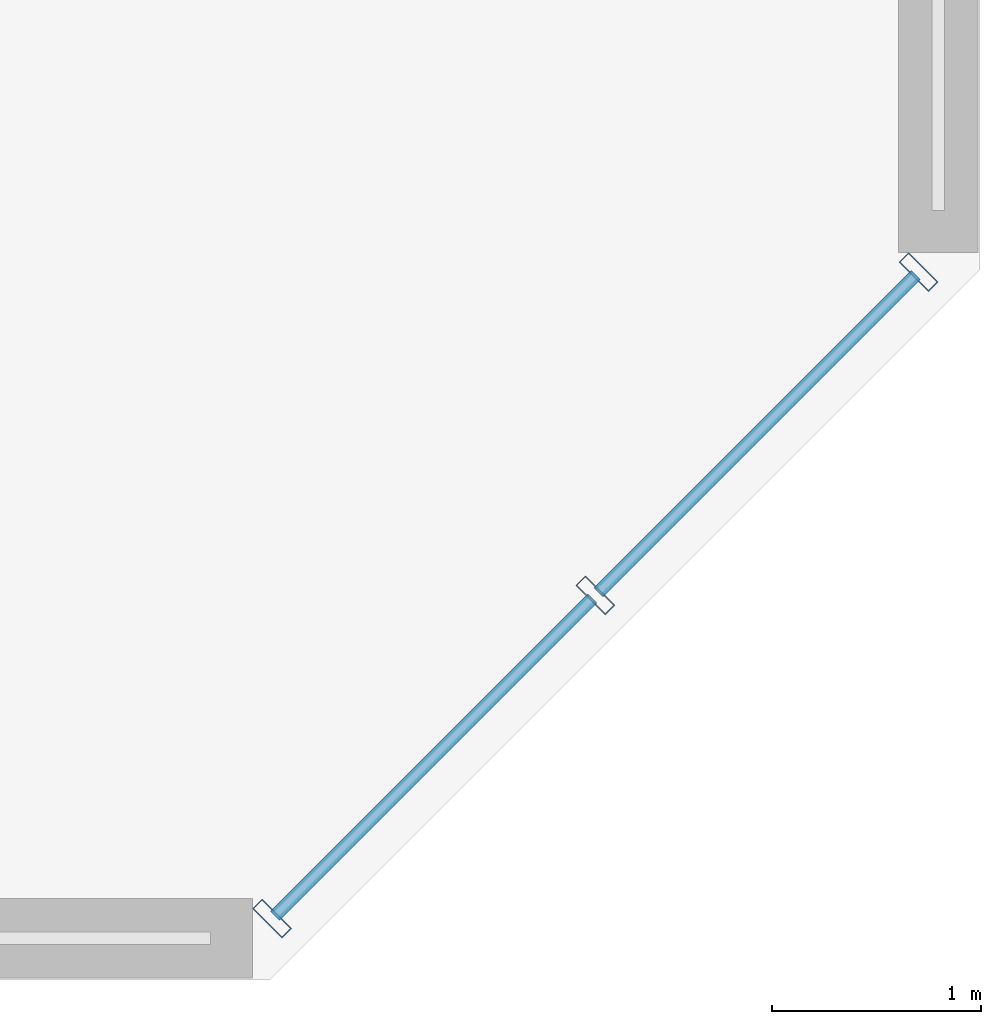
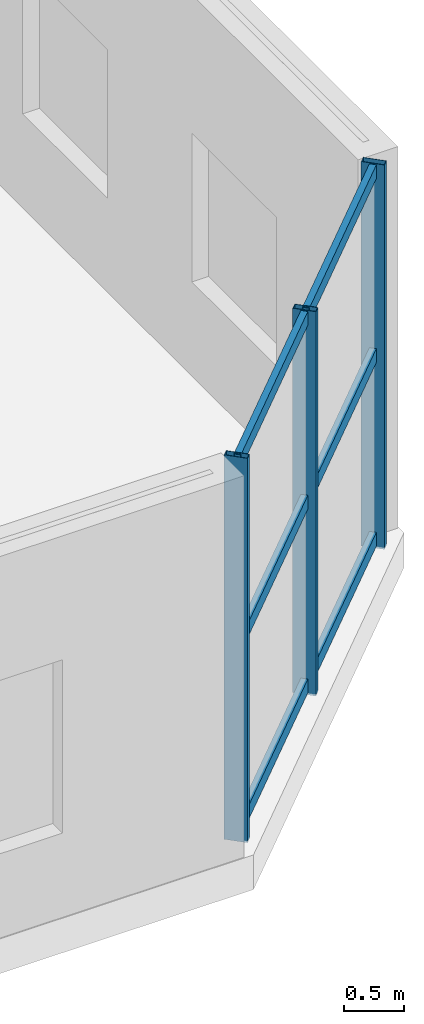
# One storey, part 6 of 22: 9 members, 1 element without a shape of its own.
"""IFC4 building model written with IfcOpenShell, lengths in metres."""

from ifc_helpers import new_model, si_unit, direction, frame, origin, origin_2d, place, context, subcontext, project, spatial, hollow_rectangle, extrude, source, transform, mapped, material, material_profile, profile_set, type_object, element, aggregate, save


model = new_model("IFC4")

# Units and contexts
model_context = context("Model", 3, precision=1e-05, world=origin(), true_north=direction((0.0, 1.0)))
body_context = subcontext(model_context, "Body", "Model", "MODEL_VIEW")
ifc_project = project(units=[si_unit("LENGTHUNIT", "METRE"), si_unit("AREAUNIT", "SQUARE_METRE"), si_unit("VOLUMEUNIT", "CUBIC_METRE"), si_unit("PLANEANGLEUNIT", "RADIAN"), si_unit("MASSUNIT", "GRAM", prefix="KILO")], contexts=[model_context])

# Site, building, storey
site_placement = place(None, origin())
site = spatial("IfcSite", under=ifc_project, at=site_placement, CompositionType="ELEMENT")
building_placement = place(site_placement, origin())
building = spatial("IfcBuilding", under=site, at=building_placement, Name="Tlacorven Tower", CompositionType="ELEMENT")
storey_placement = place(building_placement, frame((0.0, 0.0, 14.39990234375)))
storey = spatial("IfcBuildingStorey", under=building, at=storey_placement, Name="L03", CompositionType="ELEMENT", Elevation=14.39990234375)

# Curtain wall, members
ifc_material_1 = material(Name="Dark solar low-E double glazing in aluminium frame", Category="aluminium")
curtain_wall_type = type_object("IfcCurtainWallType", Name="CW-POD-CLINIC", PredefinedType="USERDEFINED", material=ifc_material_1)
curtain_wall_placement = place(storey_placement, origin())
curtain_wall = element("IfcCurtainWall", 1, at=curtain_wall_placement, inside=storey, type_object=curtain_wall_type, Name="L03 Podium Chamfer Curtain Wall 7", ObjectType="UNITISED CURTAIN WALL", PredefinedType="USERDEFINED")
ifc_material_2 = material(Name="Aluminium 6063-T6 anodised", Category="aluminium")
ifc_material_profile_1 = material_profile(ifc_material_2, hollow_rectangle(XDim=0.06494140625, YDim=0.199951171875, WallThickness=0.00439453125, at=origin_2d()), Name="ALU MULLION 65X200")
ifc_profile_set_1 = profile_set([ifc_material_profile_1], Name="Aluminium 6063-T6 anodised")
member_type_1 = type_object("IfcMemberType", Name="CWM-02", PredefinedType="MULLION", material=ifc_profile_set_1)
shared_shape_1 = source(origin(), body_context, "Body", "SweptSolid", [
    extrude(hollow_rectangle(XDim=0.06494140625, YDim=0.199951171875, WallThickness=0.00439453125, at=origin_2d()), origin(), (0.0, 0.0, 1.0), 3.880126953125),
])
member_1_placement = place(storey_placement, frame((70.306396484375, 4.7890625, -0.02001953125), z_axis=(0.0, 0.0, 1.0), x_axis=(-0.707106781187, -0.707106781187, 0.0)))
member_1 = element("IfcMember", 2, at=member_1_placement, type_object=member_type_1, Name="CW-L03-016 Mullion 1", PredefinedType="MULLION", context=body_context, shape_type="MappedRepresentation", body=[
    mapped(shared_shape_1, transform((0.0, 0.0, 0.0), scale=1.0)),
])
member_2_placement = place(storey_placement, frame((68.758544921875, 3.241455078125, -0.02001953125), z_axis=(0.0, 0.0, 1.0), x_axis=(-0.707106781187, -0.707106781187, 0.0)))
member_2 = element("IfcMember", 3, at=member_2_placement, type_object=member_type_1, Name="CW-L03-016 Mullion 2", PredefinedType="MULLION", context=body_context, shape_type="MappedRepresentation", body=[
    mapped(shared_shape_1, transform((0.0, 0.0, 0.0), scale=1.0)),
])
member_3_placement = place(storey_placement, frame((67.2109375, 1.693603515625, -0.02001953125), z_axis=(0.0, 0.0, 1.0), x_axis=(-0.707106781187, -0.707106781187, 0.0)))
member_3 = element("IfcMember", 4, at=member_3_placement, type_object=member_type_1, Name="CW-L03-016 Mullion 3", PredefinedType="MULLION", context=body_context, shape_type="MappedRepresentation", body=[
    mapped(shared_shape_1, transform((0.0, 0.0, 0.0), scale=1.0)),
])
ifc_material_profile_2 = material_profile(ifc_material_2, hollow_rectangle(XDim=0.06005859375, YDim=0.139892578125, WallThickness=0.00390625, at=origin_2d()), Name="ALU TRANSOM 60X140")
ifc_profile_set_2 = profile_set([ifc_material_profile_2], Name="Aluminium 6063-T6 anodised")
member_type_2 = type_object("IfcMemberType", Name="CWT-02", PredefinedType="USERDEFINED", material=ifc_profile_set_2)
shared_shape_2 = source(origin(), body_context, "Body", "SweptSolid", [
    extrude(hollow_rectangle(XDim=0.06005859375, YDim=0.139892578125, WallThickness=0.00390625, at=origin_2d()), origin(), (0.0, 0.0, 1.0), 2.14794921875),
])
member_4_placement = place(storey_placement, frame((70.291748046875, 4.774658203125, 0.070068359375), z_axis=(-0.707106781187, -0.707106781187, 0.0), x_axis=(0.707106781187, -0.707106781187, 0.0)))
member_4 = element("IfcMember", 5, at=member_4_placement, type_object=member_type_2, Name="CW-L03-016 Transom 1", ObjectType="TRANSOM", PredefinedType="USERDEFINED", context=body_context, shape_type="MappedRepresentation", body=[
    mapped(shared_shape_2, transform((0.0, 0.0, 0.0), scale=1.0)),
])
member_5_placement = place(storey_placement, frame((70.291748046875, 4.774658203125, 1.925048828125), z_axis=(-0.707106781187, -0.707106781187, 0.0), x_axis=(0.707106781187, -0.707106781187, 0.0)))
member_5 = element("IfcMember", 6, at=member_5_placement, type_object=member_type_2, Name="CW-L03-016 Transom 2", ObjectType="TRANSOM", PredefinedType="USERDEFINED", context=body_context, shape_type="MappedRepresentation", body=[
    mapped(shared_shape_2, transform((0.0, 0.0, 0.0), scale=1.0)),
])
member_6_placement = place(storey_placement, frame((70.291748046875, 4.774658203125, 3.780029296875), z_axis=(-0.707106781187, -0.707106781187, 0.0), x_axis=(0.707106781187, -0.707106781187, 0.0)))
member_6 = element("IfcMember", 7, at=member_6_placement, type_object=member_type_2, Name="CW-L03-016 Transom 3", ObjectType="TRANSOM", PredefinedType="USERDEFINED", context=body_context, shape_type="MappedRepresentation", body=[
    mapped(shared_shape_2, transform((0.0, 0.0, 0.0), scale=1.0)),
])
member_7_placement = place(storey_placement, frame((68.744140625, 3.22705078125, 0.070068359375), z_axis=(-0.707106781187, -0.707106781187, 0.0), x_axis=(0.707106781187, -0.707106781187, 0.0)))
member_7 = element("IfcMember", 8, at=member_7_placement, type_object=member_type_2, Name="CW-L03-016 Transom 4", ObjectType="TRANSOM", PredefinedType="USERDEFINED", context=body_context, shape_type="MappedRepresentation", body=[
    mapped(shared_shape_2, transform((0.0, 0.0, 0.0), scale=1.0)),
])
member_8_placement = place(storey_placement, frame((68.744140625, 3.22705078125, 1.925048828125), z_axis=(-0.707106781187, -0.707106781187, 0.0), x_axis=(0.707106781187, -0.707106781187, 0.0)))
member_8 = element("IfcMember", 9, at=member_8_placement, type_object=member_type_2, Name="CW-L03-016 Transom 5", ObjectType="TRANSOM", PredefinedType="USERDEFINED", context=body_context, shape_type="MappedRepresentation", body=[
    mapped(shared_shape_2, transform((0.0, 0.0, 0.0), scale=1.0)),
])
member_9_placement = place(storey_placement, frame((68.744140625, 3.22705078125, 3.780029296875), z_axis=(-0.707106781187, -0.707106781187, 0.0), x_axis=(0.707106781187, -0.707106781187, 0.0)))
member_9 = element("IfcMember", 10, at=member_9_placement, type_object=member_type_2, Name="CW-L03-016 Transom 6", ObjectType="TRANSOM", PredefinedType="USERDEFINED", context=body_context, shape_type="MappedRepresentation", body=[
    mapped(shared_shape_2, transform((0.0, 0.0, 0.0), scale=1.0)),
])
aggregate(curtain_wall, [member_1, member_2, member_3, member_4, member_5, member_6, member_7, member_8, member_9])

save(model, "model.ifc")
